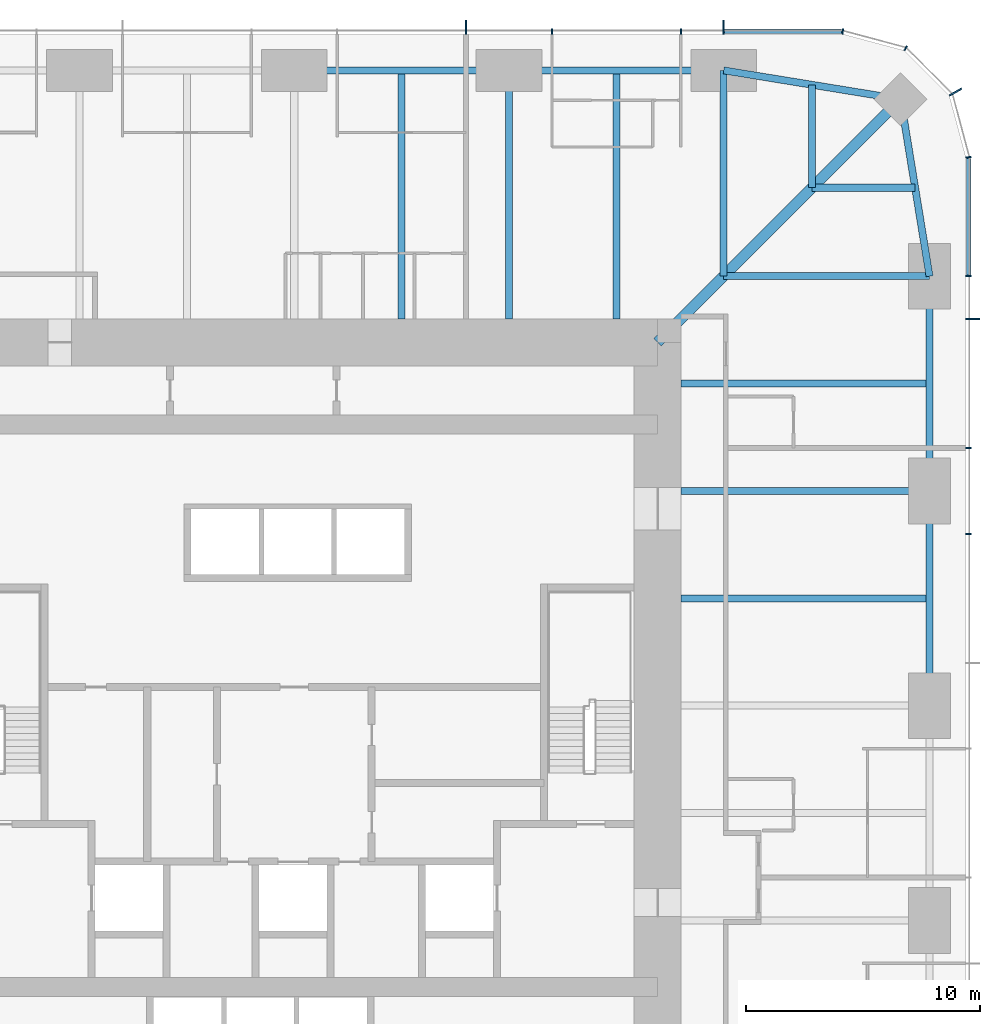
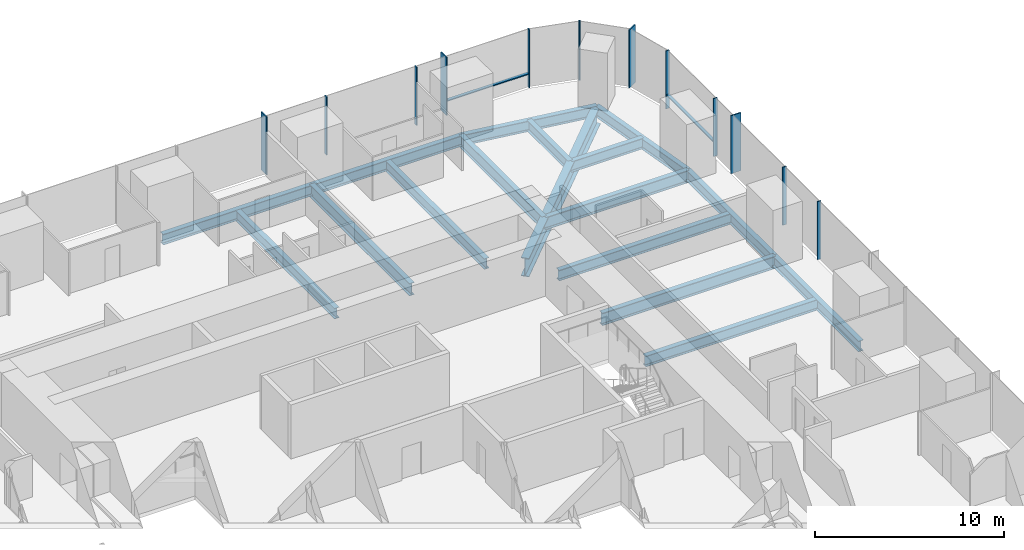
# One storey, part 6 of 13: 17 beams, 14 members, 3 elements without a shape of their own.
"""IFC4 building model written with IfcOpenShell, lengths in metres."""

import ifcopenshell
import ifcopenshell.guid

model = None  # the IFC model being written
_history = None  # IfcOwnerHistory: only IFC2X3 demands one
_inside = {}  # id of a spatial element -> (the spatial element, [elements in it])
_under = {}  # id of a project, library or spatial element -> (it, [spatial elements below it])
_declared = {}  # id of a project -> (the project, [libraries it declares])
_typed = {}  # id of a type object -> (the type object, [elements of that type])
_made_of = {}  # id of a material, layer set ... -> (it, [elements and type objects made of it])


def new_model(schema):
    """Start an empty IFC model of exactly this schema.

    Asked for "IFC4X3", IfcOpenShell would pick the latest addendum, in which some entities
    have other attributes; the version numbers below select the first issue.
    IFC2X3 requires an IfcOwnerHistory on every rooted entity: one is made here for all.
    """
    global model, _history
    if schema == "IFC4X3":
        model = ifcopenshell.file(schema_version=(4, 3, 0, 0))
    else:
        model = ifcopenshell.file(schema=schema)
    _inside.clear()
    _under.clear()
    _declared.clear()
    _typed.clear()
    _made_of.clear()
    _history = None
    if model.schema == "IFC2X3":
        org = make("IfcOrganization", Name="unknown")
        user = make(
            "IfcPersonAndOrganization",
            ThePerson=make("IfcPerson", FamilyName="unknown"),
            TheOrganization=org,
        )
        app = make(
            "IfcApplication",
            ApplicationDeveloper=org,
            Version="unknown",
            ApplicationFullName="unknown",
            ApplicationIdentifier="unknown",
        )
        _history = make(
            "IfcOwnerHistory",
            OwningUser=user,
            OwningApplication=app,
            ChangeAction="ADDED",
            CreationDate=0,
        )
    return model


def make(cls, **values):
    """One entity of the class cls with the attributes given. An attribute that is None is left unset."""
    return model.create_entity(
        cls, **{name: value for name, value in values.items() if value is not None}
    )


def rooted(cls, **values):
    """An entity with a GlobalId (a new one), such as an element, a storey or a relation."""
    return make(cls, GlobalId=ifcopenshell.guid.new(), OwnerHistory=_history, **values)


def si_unit(unit_type, name, prefix=None):
    """IfcSIUnit, for example si_unit("LENGTHUNIT", "METRE", prefix="MILLI")."""
    return make("IfcSIUnit", UnitType=unit_type, Prefix=prefix, Name=name)


def assignment(units):
    """IfcUnitAssignment: the units of a project."""
    return None if units is None else make("IfcUnitAssignment", Units=units)


def point(xyz):
    """IfcCartesianPoint."""
    return None if xyz is None else make("IfcCartesianPoint", Coordinates=xyz)


def direction(xyz):
    """IfcDirection."""
    return None if xyz is None else make("IfcDirection", DirectionRatios=xyz)


def frame(location, z_axis=None, x_axis=None):
    """IfcAxis2Placement3D, a coordinate frame: its origin and axes. An axis left out is left unset."""
    return make(
        "IfcAxis2Placement3D",
        Location=point(location),
        Axis=direction(z_axis),
        RefDirection=direction(x_axis),
    )


def frame_2d(location, x_axis=None):
    """IfcAxis2Placement2D, a coordinate frame in the plane: its origin and x axis."""
    return make(
        "IfcAxis2Placement2D", Location=point(location), RefDirection=direction(x_axis)
    )


def origin():
    """The frame at (0, 0, 0) with its axes left unset."""
    return frame((0.0, 0.0, 0.0))


def origin_2d():
    """The frame at (0, 0) in the plane with its x axis left unset."""
    return frame_2d((0.0, 0.0))


def place(relative_to, where):
    """IfcLocalPlacement: puts the frame where relative to a parent placement (None: the world)."""
    return make(
        "IfcLocalPlacement", PlacementRelTo=relative_to, RelativePlacement=where
    )


def context(
    kind, dimensions, precision=None, world=None, true_north=None, identifier=None
):
    """IfcGeometricRepresentationContext, for example the 3D "Model" context."""
    return make(
        "IfcGeometricRepresentationContext",
        ContextIdentifier=identifier,
        ContextType=kind,
        CoordinateSpaceDimension=dimensions,
        Precision=precision,
        WorldCoordinateSystem=world,
        TrueNorth=true_north,
    )


def subcontext(parent, identifier, kind, view, scale=None):
    """IfcGeometricRepresentationSubContext, for example "Body" below "Model"."""
    return make(
        "IfcGeometricRepresentationSubContext",
        ContextIdentifier=identifier,
        ContextType=kind,
        ParentContext=parent,
        TargetScale=scale,
        TargetView=view,
    )


def project(units=None, contexts=None):
    """IfcProject with its units and contexts."""
    return rooted(
        "IfcProject",
        Name="project",
        RepresentationContexts=contexts,
        UnitsInContext=assignment(units),
    )


def spatial(cls, under=None, at=None, **own):
    """A site, building, storey or space (cls), placed at a placement, below another one or the project."""
    s = rooted(cls, ObjectPlacement=at, **own)
    if under is not None:
        _under.setdefault(under.id(), (under, []))[1].append(s)
    return s


def profile(cls, at=None, kind="AREA", **sizes):
    """A parametric profile (cls). Its sizes go by their IFC names, for example OverallWidth=200.0."""
    return make(cls, ProfileType=kind, Position=at, **sizes)


def rectangle(**sizes):
    """IfcRectangleProfileDef."""
    return profile("IfcRectangleProfileDef", **sizes)


def i_section(**sizes):
    """IfcIShapeProfileDef."""
    return profile("IfcIShapeProfileDef", **sizes)


def extrude(swept, where, along, depth):
    """IfcExtrudedAreaSolid: the profile swept, set in the frame where, extruded along a direction by depth."""
    return make(
        "IfcExtrudedAreaSolid",
        SweptArea=swept,
        Position=where,
        ExtrudedDirection=direction(along),
        Depth=depth,
    )


def shape(context_of_items, identifier, shape_type, items):
    """IfcShapeRepresentation: the items that make up one representation, for example the "Body"."""
    return make(
        "IfcShapeRepresentation",
        ContextOfItems=context_of_items,
        RepresentationIdentifier=identifier,
        RepresentationType=shape_type,
        Items=items,
    )


def material(Name=None, Category=None):
    """IfcMaterial."""
    return make("IfcMaterial", Name=Name, Category=Category)


def material_profile(
    of_material, cross_section, Name=None, Category=None, Priority=None
):
    """IfcMaterialProfile: a cross section and its material."""
    return make(
        "IfcMaterialProfile",
        Name=Name,
        Material=of_material,
        Profile=cross_section,
        Priority=Priority,
        Category=Category,
    )


def profile_set(profiles, Name=None, composite=None):
    """IfcMaterialProfileSet."""
    return make(
        "IfcMaterialProfileSet",
        Name=Name,
        MaterialProfiles=profiles,
        CompositeProfile=composite,
    )


def made_of(thing, what):
    """Note that an element or type object is made of a material, layer set ...; save() writes the relation."""
    if what is not None:
        _made_of.setdefault(what.id(), (what, []))[1].append(thing)
    return thing


def type_object(cls, material=None, **own):
    """A type object (cls), such as IfcWallType, which elements share."""
    return made_of(rooted(cls, **own), material)


def element(
    cls,
    number,
    at=None,
    inside=None,
    cuts=None,
    type_object=None,
    material=None,
    context=None,
    identifier="Body",
    shape_type=None,
    held_by="IfcProductDefinitionShape",
    body=None,
    shapes=None,
    **own,
):
    """One element of the class cls, such as IfcWall. Its Tag is "e" and its number.

    at: its placement. inside: the storey or other place that contains it. cuts: it is an
    opening in that element (IfcRelVoidsElement). A single representation is given by context,
    identifier, shape_type and body (its items); several are given by shapes. held_by: the class
    of the entity that holds the representations. save() writes the other relations.
    """
    e = rooted(cls, Tag="e%d" % number, ObjectPlacement=at, **own)
    if body is not None:
        shapes = [shape(context, identifier, shape_type, body)]
    if shapes is not None:
        e.Representation = make(held_by, Representations=shapes)
    if inside is not None:
        _inside.setdefault(inside.id(), (inside, []))[1].append(e)
    if cuts is not None:
        rooted(
            "IfcRelVoidsElement", RelatingBuildingElement=cuts, RelatedOpeningElement=e
        )
    if type_object is not None:
        _typed.setdefault(type_object.id(), (type_object, []))[1].append(e)
    return made_of(e, material)


def aggregate(whole, parts):
    """IfcRelAggregates: a whole, such as a stair, and the parts it consists of."""
    return rooted("IfcRelAggregates", RelatingObject=whole, RelatedObjects=parts)


def save(model, path):
    """Write the relations noted so far, then the file.

    IfcRelAggregates (storeys below a building ...), IfcRelContainedInSpatialStructure (elements
    in a storey), IfcRelDefinesByType, IfcRelAssociatesMaterial and IfcRelDeclares: one each for
    every whole, place, type object, material and project.
    """
    for whole, parts in _under.values():
        aggregate(whole, parts)
    for where, things in _inside.values():
        rooted(
            "IfcRelContainedInSpatialStructure",
            RelatedElements=things,
            RelatingStructure=where,
        )
    for kind, things in _typed.values():
        rooted("IfcRelDefinesByType", RelatedObjects=things, RelatingType=kind)
    for what, things in _made_of.values():
        rooted("IfcRelAssociatesMaterial", RelatedObjects=things, RelatingMaterial=what)
    for by, libraries in _declared.values():
        rooted("IfcRelDeclares", RelatingContext=by, RelatedDefinitions=libraries)
    model.write(path)


model = new_model("IFC4")

# Units and contexts
model_context = context("Model", 3, precision=1e-05, world=origin(), true_north=direction((0.0, 1.0)))
body_context = subcontext(model_context, "Body", "Model", "MODEL_VIEW")
ifc_project = project(units=[si_unit("LENGTHUNIT", "METRE"), si_unit("AREAUNIT", "SQUARE_METRE"), si_unit("VOLUMEUNIT", "CUBIC_METRE"), si_unit("PLANEANGLEUNIT", "RADIAN"), si_unit("MASSUNIT", "GRAM", prefix="KILO")], contexts=[model_context])

# Site, building, storey
site_placement = place(None, origin())
site = spatial("IfcSite", under=ifc_project, at=site_placement, CompositionType="ELEMENT")
building_placement = place(site_placement, origin())
building = spatial("IfcBuilding", under=site, at=building_placement, Name="Khuree Lantern Residences", CompositionType="ELEMENT")
storey_placement = place(building_placement, frame((0.0, 0.0, 144.75)))
storey = spatial("IfcBuildingStorey", under=building, at=storey_placement, Name="L36", CompositionType="ELEMENT", Elevation=144.75)

# Beams
ifc_material_1 = material(Name="Steel S355", Category="steel")
ifc_material_profile_1 = material_profile(ifc_material_1, i_section(OverallWidth=0.300048828125, OverallDepth=0.68994140625, WebThickness=0.014404296875, FlangeThickness=0.027099609375, FilletRadius=0.027099609375, at=origin_2d()), Name="HE 700 A")
ifc_profile_set_1 = profile_set([ifc_material_profile_1], Name="Steel S355")
beam_type_1 = type_object("IfcBeamType", Name="B-23 SECONDARY BEAM HE 700 A", PredefinedType="BEAM", material=ifc_profile_set_1)
for number, where, z_axis, x_axis, name in (
    (1, (4.580078125, 27.10009765625, -0.594970703125), (0.0, -1.0, 0.0), (1.0, 0.0, 0.0), "Secondary beam N3"),
    (2, (13.739990234375, 27.10009765625, -0.594970703125), (0.0, -1.0, 0.0), (1.0, 0.0, 0.0), "Secondary beam N4"),
):
    element("IfcBeam", number, at=place(storey_placement, frame(where, z_axis=z_axis, x_axis=x_axis)), inside=storey, type_object=beam_type_1, Name=name, PredefinedType="BEAM", context=body_context, shape_type="SweptSolid", body=[
        extrude(i_section(OverallWidth=0.300048828125, OverallDepth=0.68994140625, WebThickness=0.014404296875, FlangeThickness=0.027099609375, FilletRadius=0.027099609375, at=origin_2d()), origin(), (0.0, 0.0, 1.0), 10.60009765625),
    ])
for number, where, z_axis, x_axis, name in (
    (3, (22.094970703125, 26.48486328125, -0.594970703125), (0.0, -1.0, 0.0), (1.0, 0.0, 0.0), "Secondary beam N5"),
    (4, (26.48486328125, 22.094970703125, -0.594970703125), (-1.0, 0.0, 0.0), (0.0, -1.0, 0.0), "Secondary beam E1"),
):
    element("IfcBeam", number, at=place(storey_placement, frame(where, z_axis=z_axis, x_axis=x_axis)), inside=storey, type_object=beam_type_1, Name=name, PredefinedType="BEAM", context=body_context, shape_type="SweptSolid", body=[
        extrude(i_section(OverallWidth=0.300048828125, OverallDepth=0.68994140625, WebThickness=0.014404296875, FlangeThickness=0.027099609375, FilletRadius=0.027099609375, at=origin_2d()), origin(), (0.0, 0.0, 1.0), 4.389892578125),
    ])
for number, where, z_axis, x_axis, name in (
    (5, (27.10009765625, 13.739990234375, -0.594970703125), (-1.0, 0.0, 0.0), (0.0, -1.0, 0.0), "Secondary beam E2"),
    (6, (27.10009765625, 4.580078125, -0.594970703125), (-1.0, 0.0, 0.0), (0.0, -1.0, 0.0), "Secondary beam E3"),
):
    element("IfcBeam", number, at=place(storey_placement, frame(where, z_axis=z_axis, x_axis=x_axis)), inside=storey, type_object=beam_type_1, Name=name, PredefinedType="BEAM", context=body_context, shape_type="SweptSolid", body=[
        extrude(i_section(OverallWidth=0.300048828125, OverallDepth=0.68994140625, WebThickness=0.014404296875, FlangeThickness=0.027099609375, FilletRadius=0.027099609375, at=origin_2d()), origin(), (0.0, 0.0, 1.0), 10.60009765625),
    ])
ifc_material_profile_2 = material_profile(ifc_material_1, i_section(OverallWidth=0.300048828125, OverallDepth=0.68994140625, WebThickness=0.014404296875, FlangeThickness=0.027099609375, FilletRadius=0.027099609375, at=origin_2d()), Name="HE 700 A")
ifc_profile_set_2 = profile_set([ifc_material_profile_2], Name="Steel S355")
beam_type_2 = type_object("IfcBeamType", Name="E-23 SPANDREL BEAM HE 700 A", PredefinedType="SPANDREL", material=ifc_profile_set_2)
beam_1_placement = place(storey_placement, frame((0.0, 27.10009765625, -0.594970703125), z_axis=(1.0, 0.0, 0.0), x_axis=(0.0, 1.0, 0.0)))
element("IfcBeam", 7, at=beam_1_placement, inside=storey, type_object=beam_type_2, Name="Spandrel beam N3", PredefinedType="SPANDREL", context=body_context, shape_type="SweptSolid", body=[
    extrude(i_section(OverallWidth=0.300048828125, OverallDepth=0.68994140625, WebThickness=0.014404296875, FlangeThickness=0.027099609375, FilletRadius=0.027099609375, at=origin_2d()), origin(), (0.0, 0.0, 1.0), 9.159912109375),
])
beam_2_placement = place(storey_placement, frame((9.159912109375, 27.10009765625, -0.594970703125), z_axis=(1.0, 0.0, 0.0), x_axis=(0.0, 1.0, 0.0)))
element("IfcBeam", 8, at=beam_2_placement, inside=storey, type_object=beam_type_2, Name="Spandrel beam N4", PredefinedType="SPANDREL", context=body_context, shape_type="SweptSolid", body=[
    extrude(i_section(OverallWidth=0.300048828125, OverallDepth=0.68994140625, WebThickness=0.014404296875, FlangeThickness=0.027099609375, FilletRadius=0.027099609375, at=origin_2d()), origin(), (0.0, 0.0, 1.0), 9.16015625),
])
for number, where, z_axis, x_axis, name in (
    (9, (18.320068359375, 27.10009765625, -0.594970703125), (0.986982656839, -0.160826723833, 0.0), (0.160826723833, 0.986982656839, 0.0), "Spandrel beam N5"),
    (10, (25.869873046875, 25.869873046875, -0.594970703125), (0.160826723833, -0.986982656839, 0.0), (0.986982656839, 0.160826723833, 0.0), "Spandrel beam E1"),
):
    element("IfcBeam", number, at=place(storey_placement, frame(where, z_axis=z_axis, x_axis=x_axis)), inside=storey, type_object=beam_type_2, Name=name, PredefinedType="SPANDREL", context=body_context, shape_type="SweptSolid", body=[
        extrude(i_section(OverallWidth=0.300048828125, OverallDepth=0.68994140625, WebThickness=0.014404296875, FlangeThickness=0.027099609375, FilletRadius=0.027099609375, at=origin_2d()), origin(), (0.0, 0.0, 1.0), 7.6494140625),
    ])
beam_3_placement = place(storey_placement, frame((27.10009765625, 18.320068359375, -0.594970703125), z_axis=(0.0, -1.0, 0.0), x_axis=(1.0, 0.0, 0.0)))
element("IfcBeam", 11, at=beam_3_placement, inside=storey, type_object=beam_type_2, Name="Spandrel beam E2", PredefinedType="SPANDREL", context=body_context, shape_type="SweptSolid", body=[
    extrude(i_section(OverallWidth=0.300048828125, OverallDepth=0.68994140625, WebThickness=0.014404296875, FlangeThickness=0.027099609375, FilletRadius=0.027099609375, at=origin_2d()), origin(), (0.0, 0.0, 1.0), 9.16015625),
])
beam_4_placement = place(storey_placement, frame((27.10009765625, 9.159912109375, -0.594970703125), z_axis=(0.0, -1.0, 0.0), x_axis=(1.0, 0.0, 0.0)))
element("IfcBeam", 12, at=beam_4_placement, inside=storey, type_object=beam_type_2, Name="Spandrel beam E3", PredefinedType="SPANDREL", context=body_context, shape_type="SweptSolid", body=[
    extrude(i_section(OverallWidth=0.300048828125, OverallDepth=0.68994140625, WebThickness=0.014404296875, FlangeThickness=0.027099609375, FilletRadius=0.027099609375, at=origin_2d()), origin(), (0.0, 0.0, 1.0), 9.159912109375),
])

# Curtain wall, member
ifc_material_2 = material(Name="Bronze anodised aluminium", Category="aluminium")
curtain_wall_type_1 = type_object("IfcCurtainWallType", Name="CW-T1 TOWER FACE CURTAIN WALL", PredefinedType="USERDEFINED", material=ifc_material_2)
curtain_wall_1_placement = place(storey_placement, origin())
curtain_wall_1 = element("IfcCurtainWall", 13, at=curtain_wall_1_placement, inside=storey, type_object=curtain_wall_type_1, Name="L36 EAST FACE CURTAIN WALL", ObjectType="Stick-built curtain wall", PredefinedType="USERDEFINED")
ifc_material_profile_3 = material_profile(ifc_material_2, rectangle(XDim=0.06494140625, YDim=0.60009765625, at=origin_2d()), Name="F1 65X600")
ifc_profile_set_3 = profile_set([ifc_material_profile_3], Name="Bronze anodised aluminium")
member_type_1 = type_object("IfcMemberType", Name="F1 BRONZE FIN MULLION TOWER 65X600", PredefinedType="MULLION", material=ifc_profile_set_3)
member_1_placement = place(storey_placement, frame((28.949951171875, 16.488037109375, 0.0), z_axis=(0.0, 0.0, 1.0), x_axis=(0.0, 1.0, 0.0)))
member_1 = element("IfcMember", 14, at=member_1_placement, type_object=member_type_1, Name="L36 EAST FACE FIN MULLION 13", PredefinedType="MULLION", context=body_context, shape_type="SweptSolid", body=[
    extrude(rectangle(XDim=0.06494140625, YDim=0.60009765625, at=origin_2d()), origin(), (0.0, 0.0, 1.0), 3.75),
])

curtain_wall_type_2 = type_object("IfcCurtainWallType", Name="CW-T2 TOWER CORNER CURTAIN WALL", PredefinedType="USERDEFINED", material=ifc_material_2)
curtain_wall_2_placement = place(storey_placement, origin())
curtain_wall_2 = element("IfcCurtainWall", 15, at=curtain_wall_2_placement, inside=storey, type_object=curtain_wall_type_2, Name="L36 NORTH-EAST CORNER CURTAIN WALL", ObjectType="Faceted corner curtain wall", PredefinedType="USERDEFINED")
member_2_placement = place(storey_placement, frame((28.20654296875, 26.175048828125, 0.0), z_axis=(0.0, 0.0, 1.0), x_axis=(-0.500000026995, 0.866025388199, 0.0)))
member_2 = element("IfcMember", 16, at=member_2_placement, type_object=member_type_1, Name="L36 NORTH-EAST CORNER FIN MULLION 16", PredefinedType="MULLION", context=body_context, shape_type="SweptSolid", body=[
    extrude(rectangle(XDim=0.06494140625, YDim=0.60009765625, at=origin_2d()), origin(), (0.0, 0.0, 1.0), 3.75),
])

# Curtain wall, members
curtain_wall_3_placement = place(storey_placement, origin())
curtain_wall_3 = element("IfcCurtainWall", 17, at=curtain_wall_3_placement, inside=storey, type_object=curtain_wall_type_1, Name="L36 NORTH FACE CURTAIN WALL", ObjectType="Stick-built curtain wall", PredefinedType="USERDEFINED")
member_3_placement = place(storey_placement, frame((18.320068359375, 28.949951171875, 0.0), z_axis=(0.0, 0.0, 1.0), x_axis=(-1.0, 0.0, 0.0)))
member_3 = element("IfcMember", 18, at=member_3_placement, type_object=member_type_1, Name="L36 NORTH FACE FIN MULLION 19", PredefinedType="MULLION", context=body_context, shape_type="SweptSolid", body=[
    extrude(rectangle(XDim=0.06494140625, YDim=0.60009765625, at=origin_2d()), origin(), (0.0, 0.0, 1.0), 3.75),
])
member_4_placement = place(storey_placement, frame((7.327880859375, 28.949951171875, 0.0), z_axis=(0.0, 0.0, 1.0), x_axis=(-1.0, 0.0, 0.0)))
member_4 = element("IfcMember", 19, at=member_4_placement, type_object=member_type_1, Name="L36 NORTH FACE FIN MULLION 22", PredefinedType="MULLION", context=body_context, shape_type="SweptSolid", body=[
    extrude(rectangle(XDim=0.06494140625, YDim=0.60009765625, at=origin_2d()), origin(), (0.0, 0.0, 1.0), 3.75),
])

# Beams
ifc_material_profile_4 = material_profile(ifc_material_1, i_section(OverallWidth=0.300048828125, OverallDepth=0.800048828125, WebThickness=0.017578125, FlangeThickness=0.032958984375, FilletRadius=0.030029296875, at=origin_2d()), Name="HE 800 B")
ifc_profile_set_4 = profile_set([ifc_material_profile_4], Name="Steel S355")
beam_type_3 = type_object("IfcBeamType", Name="G-23 GIRDER HE 800 B", PredefinedType="BEAM", material=ifc_profile_set_4)
beam_5_placement = place(storey_placement, frame((9.159912109375, 27.10009765625, -0.64990234375), z_axis=(0.0, -1.0, 0.0), x_axis=(1.0, 0.0, 0.0)))
element("IfcBeam", 20, at=beam_5_placement, inside=storey, type_object=beam_type_3, Name="Girder N4", PredefinedType="BEAM", context=body_context, shape_type="SweptSolid", body=[
    extrude(i_section(OverallWidth=0.300048828125, OverallDepth=0.800048828125, WebThickness=0.017578125, FlangeThickness=0.032958984375, FilletRadius=0.030029296875, at=origin_2d()), origin(), (0.0, 0.0, 1.0), 10.60009765625),
])
for number, where, z_axis, x_axis, name in (
    (21, (18.320068359375, 27.10009765625, -0.64990234375), (0.0, -1.0, 0.0), (1.0, 0.0, 0.0), "Girder N5"),
    (22, (27.10009765625, 18.320068359375, -0.64990234375), (-1.0, 0.0, 0.0), (0.0, -1.0, 0.0), "Girder E1"),
):
    element("IfcBeam", number, at=place(storey_placement, frame(where, z_axis=z_axis, x_axis=x_axis)), inside=storey, type_object=beam_type_3, Name=name, PredefinedType="BEAM", context=body_context, shape_type="SweptSolid", body=[
        extrude(i_section(OverallWidth=0.300048828125, OverallDepth=0.800048828125, WebThickness=0.017578125, FlangeThickness=0.032958984375, FilletRadius=0.030029296875, at=origin_2d()), origin(), (0.0, 0.0, 1.0), 8.780029296875),
    ])
beam_6_placement = place(storey_placement, frame((27.10009765625, 9.159912109375, -0.64990234375), z_axis=(-1.0, 0.0, 0.0), x_axis=(0.0, -1.0, 0.0)))
element("IfcBeam", 23, at=beam_6_placement, inside=storey, type_object=beam_type_3, Name="Girder E2", PredefinedType="BEAM", context=body_context, shape_type="SweptSolid", body=[
    extrude(i_section(OverallWidth=0.300048828125, OverallDepth=0.800048828125, WebThickness=0.017578125, FlangeThickness=0.032958984375, FilletRadius=0.030029296875, at=origin_2d()), origin(), (0.0, 0.0, 1.0), 10.60009765625),
])
ifc_material_profile_5 = material_profile(ifc_material_1, i_section(OverallWidth=0.449951171875, OverallDepth=1.199951171875, WebThickness=0.02490234375, FlangeThickness=0.044921875, at=origin_2d()), Name="WELDED I 1200X450X25X45")
ifc_profile_set_5 = profile_set([ifc_material_profile_5], Name="Steel S355")
beam_type_4 = type_object("IfcBeamType", Name="GD-23 CORNER GIRDER WELDED I 1200X450X25X45", PredefinedType="BEAM", material=ifc_profile_set_5)
beam_7_placement = place(storey_placement, frame((25.869873046875, 25.869873046875, -0.85009765625), z_axis=(-0.707106781187, -0.707106781187, 0.0), x_axis=(0.707106781187, -0.707106781187, 0.0)))
element("IfcBeam", 24, at=beam_7_placement, inside=storey, type_object=beam_type_4, Name="Corner girder NE", PredefinedType="BEAM", context=body_context, shape_type="SweptSolid", body=[
    extrude(i_section(OverallWidth=0.449951171875, OverallDepth=1.199951171875, WebThickness=0.02490234375, FlangeThickness=0.044921875, at=origin_2d()), origin(), (0.0, 0.0, 1.0), 14.665283203125),
])

# Member
ifc_material_profile_6 = material_profile(ifc_material_2, rectangle(XDim=0.06494140625, YDim=0.219970703125, at=origin_2d()), Name="M1 65X220")
ifc_profile_set_6 = profile_set([ifc_material_profile_6], Name="Bronze anodised aluminium")
member_type_2 = type_object("IfcMemberType", Name="M1 BRONZE MULLION TOWER 65X220", PredefinedType="MULLION", material=ifc_profile_set_6)
member_5_placement = place(storey_placement, frame((28.760009765625, 7.327880859375, 0.0), z_axis=(0.0, 0.0, 1.0), x_axis=(0.0, 1.0, 0.0)))
member_5 = element("IfcMember", 25, at=member_5_placement, type_object=member_type_2, Name="L36 EAST FACE MULLION 11", PredefinedType="MULLION", context=body_context, shape_type="SweptSolid", body=[
    extrude(rectangle(XDim=0.06494140625, YDim=0.219970703125, at=origin_2d()), origin(), (0.0, 0.0, 1.0), 3.75),
])

member_6_placement = place(storey_placement, frame((28.760009765625, 10.991943359375, 0.0), z_axis=(0.0, 0.0, 1.0), x_axis=(0.0, 1.0, 0.0)))
member_6 = element("IfcMember", 26, at=member_6_placement, type_object=member_type_2, Name="L36 EAST FACE MULLION 12", PredefinedType="MULLION", context=body_context, shape_type="SweptSolid", body=[
    extrude(rectangle(XDim=0.06494140625, YDim=0.219970703125, at=origin_2d()), origin(), (0.0, 0.0, 1.0), 3.75),
])

member_7_placement = place(storey_placement, frame((28.760009765625, 18.320068359375, 0.0), z_axis=(0.0, 0.0, 1.0), x_axis=(0.0, 1.0, 0.0)))
member_7 = element("IfcMember", 27, at=member_7_placement, type_object=member_type_2, Name="L36 EAST FACE MULLION 14", PredefinedType="MULLION", context=body_context, shape_type="SweptSolid", body=[
    extrude(rectangle(XDim=0.06494140625, YDim=0.219970703125, at=origin_2d()), origin(), (0.0, 0.0, 1.0), 3.75),
])

member_8_placement = place(storey_placement, frame((28.76171875, 23.39501953125, 0.0), z_axis=(0.0, 0.0, 1.0), x_axis=(-0.130526223125, 0.991444857305, 0.0)))
member_8 = element("IfcMember", 28, at=member_8_placement, type_object=member_type_2, Name="L36 NORTH-EAST CORNER MULLION 15", PredefinedType="MULLION", context=body_context, shape_type="SweptSolid", body=[
    extrude(rectangle(XDim=0.06494140625, YDim=0.219970703125, at=origin_2d()), origin(), (0.0, 0.0, 1.0), 3.75),
])

member_9_placement = place(storey_placement, frame((26.080078125, 28.0419921875, 0.0), z_axis=(0.0, 0.0, 1.0), x_axis=(-0.866025388199, 0.500000026995, 0.0)))
member_9 = element("IfcMember", 29, at=member_9_placement, type_object=member_type_2, Name="L36 NORTH-EAST CORNER MULLION 17", PredefinedType="MULLION", context=body_context, shape_type="SweptSolid", body=[
    extrude(rectangle(XDim=0.06494140625, YDim=0.219970703125, at=origin_2d()), origin(), (0.0, 0.0, 1.0), 3.75),
])

aggregate(curtain_wall_2, [member_8, member_2, member_9])

member_10_placement = place(storey_placement, frame((23.39501953125, 28.76171875, 0.0), z_axis=(0.0, 0.0, 1.0), x_axis=(-0.991444857305, 0.130526223125, 0.0)))
member_10 = element("IfcMember", 30, at=member_10_placement, type_object=member_type_2, Name="L36 NORTH FACE MULLION 18", PredefinedType="MULLION", context=body_context, shape_type="SweptSolid", body=[
    extrude(rectangle(XDim=0.06494140625, YDim=0.219970703125, at=origin_2d()), origin(), (0.0, 0.0, 1.0), 3.75),
])

member_11_placement = place(storey_placement, frame((16.488037109375, 28.760009765625, 0.0), z_axis=(0.0, 0.0, 1.0), x_axis=(-1.0, 0.0, 0.0)))
member_11 = element("IfcMember", 31, at=member_11_placement, type_object=member_type_2, Name="L36 NORTH FACE MULLION 20", PredefinedType="MULLION", context=body_context, shape_type="SweptSolid", body=[
    extrude(rectangle(XDim=0.06494140625, YDim=0.219970703125, at=origin_2d()), origin(), (0.0, 0.0, 1.0), 3.75),
])

member_12_placement = place(storey_placement, frame((10.991943359375, 28.760009765625, 0.0), z_axis=(0.0, 0.0, 1.0), x_axis=(-1.0, 0.0, 0.0)))
member_12 = element("IfcMember", 32, at=member_12_placement, type_object=member_type_2, Name="L36 NORTH FACE MULLION 21", PredefinedType="MULLION", context=body_context, shape_type="SweptSolid", body=[
    extrude(rectangle(XDim=0.06494140625, YDim=0.219970703125, at=origin_2d()), origin(), (0.0, 0.0, 1.0), 3.75),
])

ifc_material_profile_7 = material_profile(ifc_material_2, rectangle(XDim=0.179931640625, YDim=0.06494140625, at=origin_2d()), Name="T1 180X65")
ifc_profile_set_7 = profile_set([ifc_material_profile_7], Name="Bronze anodised aluminium")
member_type_3 = type_object("IfcMemberType", Name="TRANSOM T1 TOWER 180X65", PredefinedType="USERDEFINED", material=ifc_profile_set_7)
member_13_placement = place(storey_placement, frame((28.77001953125, 18.3525390625, 0.89990234375), z_axis=(0.0, 1.0, 0.0), x_axis=(-1.0, 0.0, 0.0)))
member_13 = element("IfcMember", 33, at=member_13_placement, type_object=member_type_3, Name="L36 EAST FACE TRANSOM 14.1", ObjectType="Transom", PredefinedType="USERDEFINED", context=body_context, shape_type="SweptSolid", body=[
    extrude(rectangle(XDim=0.179931640625, YDim=0.06494140625, at=origin_2d()), origin(), (0.0, 0.0, 1.0), 4.998779296875),
])

aggregate(curtain_wall_1, [member_5, member_6, member_1, member_7, member_13])

member_14_placement = place(storey_placement, frame((23.351318359375, 28.77001953125, 0.89990234375), z_axis=(-1.0, 0.0, 0.0), x_axis=(0.0, -1.0, 0.0)))
member_14 = element("IfcMember", 34, at=member_14_placement, type_object=member_type_3, Name="L36 NORTH FACE TRANSOM 18.1", ObjectType="Transom", PredefinedType="USERDEFINED", context=body_context, shape_type="SweptSolid", body=[
    extrude(rectangle(XDim=0.179931640625, YDim=0.06494140625, at=origin_2d()), origin(), (0.0, 0.0, 1.0), 4.998779296875),
])

aggregate(curtain_wall_3, [member_10, member_3, member_11, member_12, member_4, member_14])

save(model, "model.ifc")
